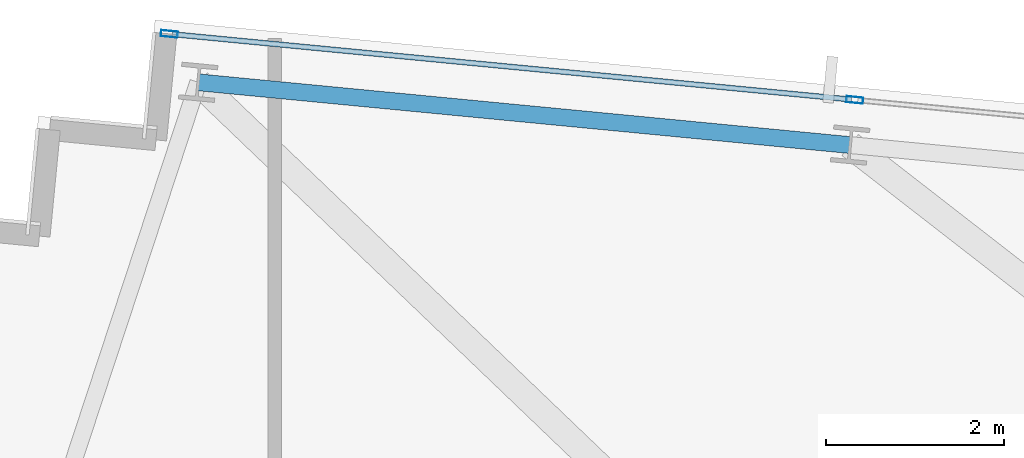
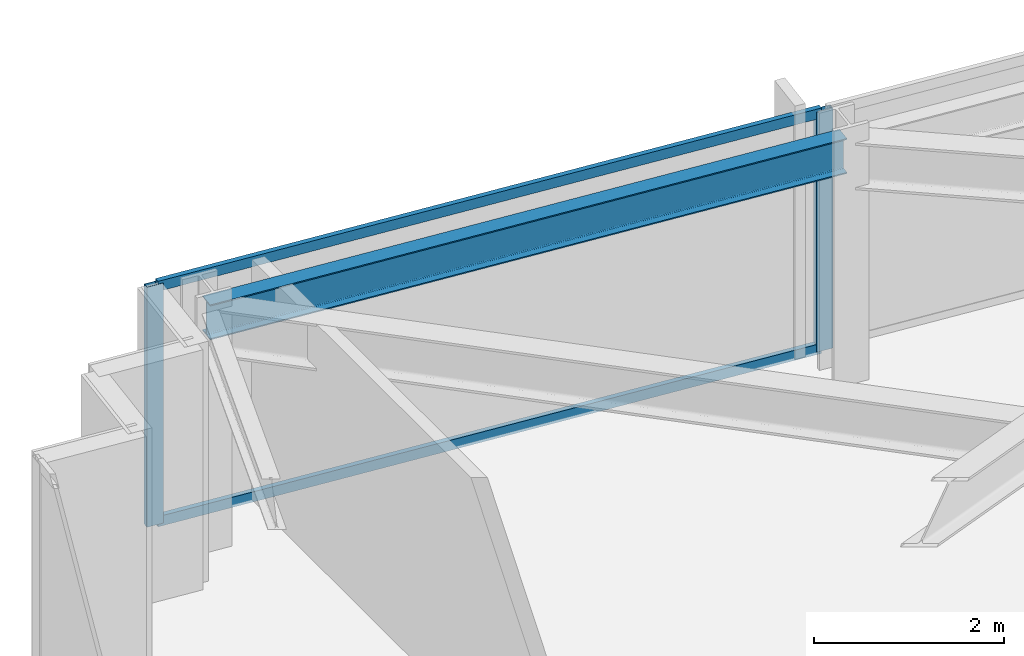
# One storey, part 23 of 36: 4 members, 1 beam, 1 element without a shape of its own.
"""IFC4 building model written with IfcOpenShell, lengths in metres."""

import ifcopenshell
import ifcopenshell.guid

model = None  # the IFC model being written
_history = None  # IfcOwnerHistory: only IFC2X3 demands one
_inside = {}  # id of a spatial element -> (the spatial element, [elements in it])
_under = {}  # id of a project, library or spatial element -> (it, [spatial elements below it])
_declared = {}  # id of a project -> (the project, [libraries it declares])
_typed = {}  # id of a type object -> (the type object, [elements of that type])
_made_of = {}  # id of a material, layer set ... -> (it, [elements and type objects made of it])


def new_model(schema):
    """Start an empty IFC model of exactly this schema.

    Asked for "IFC4X3", IfcOpenShell would pick the latest addendum, in which some entities
    have other attributes; the version numbers below select the first issue.
    IFC2X3 requires an IfcOwnerHistory on every rooted entity: one is made here for all.
    """
    global model, _history
    if schema == "IFC4X3":
        model = ifcopenshell.file(schema_version=(4, 3, 0, 0))
    else:
        model = ifcopenshell.file(schema=schema)
    _inside.clear()
    _under.clear()
    _declared.clear()
    _typed.clear()
    _made_of.clear()
    _history = None
    if model.schema == "IFC2X3":
        org = make("IfcOrganization", Name="unknown")
        user = make(
            "IfcPersonAndOrganization",
            ThePerson=make("IfcPerson", FamilyName="unknown"),
            TheOrganization=org,
        )
        app = make(
            "IfcApplication",
            ApplicationDeveloper=org,
            Version="unknown",
            ApplicationFullName="unknown",
            ApplicationIdentifier="unknown",
        )
        _history = make(
            "IfcOwnerHistory",
            OwningUser=user,
            OwningApplication=app,
            ChangeAction="ADDED",
            CreationDate=0,
        )
    return model


def make(cls, **values):
    """One entity of the class cls with the attributes given. An attribute that is None is left unset."""
    return model.create_entity(
        cls, **{name: value for name, value in values.items() if value is not None}
    )


def rooted(cls, **values):
    """An entity with a GlobalId (a new one), such as an element, a storey or a relation."""
    return make(cls, GlobalId=ifcopenshell.guid.new(), OwnerHistory=_history, **values)


def si_unit(unit_type, name, prefix=None):
    """IfcSIUnit, for example si_unit("LENGTHUNIT", "METRE", prefix="MILLI")."""
    return make("IfcSIUnit", UnitType=unit_type, Prefix=prefix, Name=name)


def assignment(units):
    """IfcUnitAssignment: the units of a project."""
    return None if units is None else make("IfcUnitAssignment", Units=units)


def point(xyz):
    """IfcCartesianPoint."""
    return None if xyz is None else make("IfcCartesianPoint", Coordinates=xyz)


def direction(xyz):
    """IfcDirection."""
    return None if xyz is None else make("IfcDirection", DirectionRatios=xyz)


def frame(location, z_axis=None, x_axis=None):
    """IfcAxis2Placement3D, a coordinate frame: its origin and axes. An axis left out is left unset."""
    return make(
        "IfcAxis2Placement3D",
        Location=point(location),
        Axis=direction(z_axis),
        RefDirection=direction(x_axis),
    )


def frame_2d(location, x_axis=None):
    """IfcAxis2Placement2D, a coordinate frame in the plane: its origin and x axis."""
    return make(
        "IfcAxis2Placement2D", Location=point(location), RefDirection=direction(x_axis)
    )


def origin():
    """The frame at (0, 0, 0) with its axes left unset."""
    return frame((0.0, 0.0, 0.0))


def origin_2d():
    """The frame at (0, 0) in the plane with its x axis left unset."""
    return frame_2d((0.0, 0.0))


def place(relative_to, where):
    """IfcLocalPlacement: puts the frame where relative to a parent placement (None: the world)."""
    return make(
        "IfcLocalPlacement", PlacementRelTo=relative_to, RelativePlacement=where
    )


def context(
    kind, dimensions, precision=None, world=None, true_north=None, identifier=None
):
    """IfcGeometricRepresentationContext, for example the 3D "Model" context."""
    return make(
        "IfcGeometricRepresentationContext",
        ContextIdentifier=identifier,
        ContextType=kind,
        CoordinateSpaceDimension=dimensions,
        Precision=precision,
        WorldCoordinateSystem=world,
        TrueNorth=true_north,
    )


def subcontext(parent, identifier, kind, view, scale=None):
    """IfcGeometricRepresentationSubContext, for example "Body" below "Model"."""
    return make(
        "IfcGeometricRepresentationSubContext",
        ContextIdentifier=identifier,
        ContextType=kind,
        ParentContext=parent,
        TargetScale=scale,
        TargetView=view,
    )


def project(units=None, contexts=None):
    """IfcProject with its units and contexts."""
    return rooted(
        "IfcProject",
        Name="project",
        RepresentationContexts=contexts,
        UnitsInContext=assignment(units),
    )


def spatial(cls, under=None, at=None, **own):
    """A site, building, storey or space (cls), placed at a placement, below another one or the project."""
    s = rooted(cls, ObjectPlacement=at, **own)
    if under is not None:
        _under.setdefault(under.id(), (under, []))[1].append(s)
    return s


def profile(cls, at=None, kind="AREA", **sizes):
    """A parametric profile (cls). Its sizes go by their IFC names, for example OverallWidth=200.0."""
    return make(cls, ProfileType=kind, Position=at, **sizes)


def hollow_rectangle(**sizes):
    """IfcRectangleHollowProfileDef."""
    return profile("IfcRectangleHollowProfileDef", **sizes)


def i_section(**sizes):
    """IfcIShapeProfileDef."""
    return profile("IfcIShapeProfileDef", **sizes)


def extrude(swept, where, along, depth):
    """IfcExtrudedAreaSolid: the profile swept, set in the frame where, extruded along a direction by depth."""
    return make(
        "IfcExtrudedAreaSolid",
        SweptArea=swept,
        Position=where,
        ExtrudedDirection=direction(along),
        Depth=depth,
    )


def shape(context_of_items, identifier, shape_type, items):
    """IfcShapeRepresentation: the items that make up one representation, for example the "Body"."""
    return make(
        "IfcShapeRepresentation",
        ContextOfItems=context_of_items,
        RepresentationIdentifier=identifier,
        RepresentationType=shape_type,
        Items=items,
    )


def material(Name=None, Category=None):
    """IfcMaterial."""
    return make("IfcMaterial", Name=Name, Category=Category)


def material_profile(
    of_material, cross_section, Name=None, Category=None, Priority=None
):
    """IfcMaterialProfile: a cross section and its material."""
    return make(
        "IfcMaterialProfile",
        Name=Name,
        Material=of_material,
        Profile=cross_section,
        Priority=Priority,
        Category=Category,
    )


def profile_set(profiles, Name=None, composite=None):
    """IfcMaterialProfileSet."""
    return make(
        "IfcMaterialProfileSet",
        Name=Name,
        MaterialProfiles=profiles,
        CompositeProfile=composite,
    )


def made_of(thing, what):
    """Note that an element or type object is made of a material, layer set ...; save() writes the relation."""
    if what is not None:
        _made_of.setdefault(what.id(), (what, []))[1].append(thing)
    return thing


def type_object(cls, material=None, **own):
    """A type object (cls), such as IfcWallType, which elements share."""
    return made_of(rooted(cls, **own), material)


def element(
    cls,
    number,
    at=None,
    inside=None,
    cuts=None,
    type_object=None,
    material=None,
    context=None,
    identifier="Body",
    shape_type=None,
    held_by="IfcProductDefinitionShape",
    body=None,
    shapes=None,
    **own,
):
    """One element of the class cls, such as IfcWall. Its Tag is "e" and its number.

    at: its placement. inside: the storey or other place that contains it. cuts: it is an
    opening in that element (IfcRelVoidsElement). A single representation is given by context,
    identifier, shape_type and body (its items); several are given by shapes. held_by: the class
    of the entity that holds the representations. save() writes the other relations.
    """
    e = rooted(cls, Tag="e%d" % number, ObjectPlacement=at, **own)
    if body is not None:
        shapes = [shape(context, identifier, shape_type, body)]
    if shapes is not None:
        e.Representation = make(held_by, Representations=shapes)
    if inside is not None:
        _inside.setdefault(inside.id(), (inside, []))[1].append(e)
    if cuts is not None:
        rooted(
            "IfcRelVoidsElement", RelatingBuildingElement=cuts, RelatedOpeningElement=e
        )
    if type_object is not None:
        _typed.setdefault(type_object.id(), (type_object, []))[1].append(e)
    return made_of(e, material)


def aggregate(whole, parts):
    """IfcRelAggregates: a whole, such as a stair, and the parts it consists of."""
    return rooted("IfcRelAggregates", RelatingObject=whole, RelatedObjects=parts)


def save(model, path):
    """Write the relations noted so far, then the file.

    IfcRelAggregates (storeys below a building ...), IfcRelContainedInSpatialStructure (elements
    in a storey), IfcRelDefinesByType, IfcRelAssociatesMaterial and IfcRelDeclares: one each for
    every whole, place, type object, material and project.
    """
    for whole, parts in _under.values():
        aggregate(whole, parts)
    for where, things in _inside.values():
        rooted(
            "IfcRelContainedInSpatialStructure",
            RelatedElements=things,
            RelatingStructure=where,
        )
    for kind, things in _typed.values():
        rooted("IfcRelDefinesByType", RelatedObjects=things, RelatingType=kind)
    for what, things in _made_of.values():
        rooted("IfcRelAssociatesMaterial", RelatedObjects=things, RelatingMaterial=what)
    for by, libraries in _declared.values():
        rooted("IfcRelDeclares", RelatingContext=by, RelatedDefinitions=libraries)
    model.write(path)


model = new_model("IFC4")

# Units and contexts
model_context = context("Model", 3, precision=1e-05, world=origin(), true_north=direction((0.0, 1.0)))
body_context = subcontext(model_context, "Body", "Model", "MODEL_VIEW")
ifc_project = project(units=[si_unit("LENGTHUNIT", "METRE"), si_unit("AREAUNIT", "SQUARE_METRE"), si_unit("VOLUMEUNIT", "CUBIC_METRE"), si_unit("PLANEANGLEUNIT", "RADIAN"), si_unit("MASSUNIT", "GRAM", prefix="KILO")], contexts=[model_context])

# Site, building, storey
site_placement = place(None, origin())
site = spatial("IfcSite", under=ifc_project, at=site_placement, CompositionType="ELEMENT")
building_placement = place(site_placement, origin())
building = spatial("IfcBuilding", under=site, at=building_placement, Name="Yelkora Congress Tower", CompositionType="ELEMENT")
storey_placement = place(building_placement, frame((0.0, 0.0, 152.300048828125)))
storey = spatial("IfcBuildingStorey", under=building, at=storey_placement, Name="L41", CompositionType="ELEMENT", Elevation=152.300048828125)

# Beam
ifc_material_1 = material(Name="Steel S355J2", Category="steel")
ifc_material_profile_1 = material_profile(ifc_material_1, i_section(OverallWidth=0.18994140625, OverallDepth=0.449951171875, WebThickness=0.009521484375, FlangeThickness=0.0146484375, FilletRadius=0.02099609375, at=origin_2d()), Name="IPE 450")
ifc_profile_set_1 = profile_set([ifc_material_profile_1], Name="Steel S355J2")
beam_type = type_object("IfcBeamType", Name="BM-SPAN-IPE450", PredefinedType="SPANDREL", material=ifc_profile_set_1)
beam_placement = place(storey_placement, frame((14.712158203125, 49.685546875, 2.85498046875), z_axis=(-0.995397104697, 0.095836339457, 0.0), x_axis=(-0.095836339457, -0.995397104697, 0.0)))
element("IfcBeam", 1, at=beam_placement, inside=storey, type_object=beam_type, Name="L41 Perimeter Beam 15", PredefinedType="SPANDREL", context=body_context, shape_type="SweptSolid", body=[
    extrude(i_section(OverallWidth=0.18994140625, OverallDepth=0.449951171875, WebThickness=0.009521484375, FlangeThickness=0.0146484375, FilletRadius=0.02099609375, at=origin_2d()), origin(), (0.0, 0.0, 1.0), 7.357177734375),
])

# Curtain wall, members
ifc_material_2 = material(Name="Anodised aluminium and insulated glass", Category="aluminium")
curtain_wall_type = type_object("IfcCurtainWallType", Name="CW-SYS-B3", PredefinedType="NOTDEFINED", material=ifc_material_2)
curtain_wall_placement = place(storey_placement, origin())
curtain_wall = element("IfcCurtainWall", 2, at=curtain_wall_placement, inside=storey, type_object=curtain_wall_type, Name="L41 Unitised Curtain Wall 10 (1)", PredefinedType="NOTDEFINED")
ifc_material_3 = material(Name="Anodised aluminium 6063-T6", Category="aluminium")
ifc_material_profile_2 = material_profile(ifc_material_3, hollow_rectangle(XDim=0.070068359375, YDim=0.18994140625, WallThickness=0.00390625, at=origin_2d()), Name="ALU 70x190x4")
ifc_profile_set_2 = profile_set([ifc_material_profile_2], Name="Anodised aluminium 6063-T6")
member_type_1 = type_object("IfcMemberType", Name="MEM-ML-B3", PredefinedType="MULLION", material=ifc_profile_set_2)
member_1_placement = place(storey_placement, frame((7.064453125, 50.934326171875, 0.0), z_axis=(0.0, 0.0, 1.0), x_axis=(0.095844761168, 0.995396293823, 0.0)))
member_1 = element("IfcMember", 3, at=member_1_placement, type_object=member_type_1, Name="CW-B3 mullion 1", PredefinedType="MULLION", context=body_context, shape_type="SweptSolid", body=[
    extrude(hollow_rectangle(XDim=0.070068359375, YDim=0.18994140625, WallThickness=0.00390625, at=origin_2d()), origin(), (0.0, 0.0, 1.0), 3.079833984375),
])
member_2_placement = place(storey_placement, frame((14.76318359375, 50.19287109375, 0.0), z_axis=(0.0, 0.0, 1.0), x_axis=(0.095844761168, 0.995396293823, 0.0)))
member_2 = element("IfcMember", 4, at=member_2_placement, type_object=member_type_1, Name="CW-B3 mullion 2", PredefinedType="MULLION", context=body_context, shape_type="SweptSolid", body=[
    extrude(hollow_rectangle(XDim=0.070068359375, YDim=0.18994140625, WallThickness=0.00390625, at=origin_2d()), origin(), (0.0, 0.0, 1.0), 3.079833984375),
])
ifc_material_profile_3 = material_profile(ifc_material_3, hollow_rectangle(XDim=0.06005859375, YDim=0.1298828125, WallThickness=0.00390625, at=origin_2d()), Name="ALU 60x130x4")
ifc_profile_set_3 = profile_set([ifc_material_profile_3], Name="Anodised aluminium 6063-T6")
member_type_2 = type_object("IfcMemberType", Name="MEM-TR-B3", PredefinedType="USERDEFINED", material=ifc_profile_set_3)
member_3_placement = place(storey_placement, frame((7.099365234375, 50.930908203125, 0.030029296875), z_axis=(0.995395712642, -0.09585079683, 0.0), x_axis=(0.09585079683, 0.995395712642, 0.0)))
member_3 = element("IfcMember", 5, at=member_3_placement, type_object=member_type_2, Name="CW-B3 transom 1.1", ObjectType="TRANSOM", PredefinedType="USERDEFINED", context=body_context, shape_type="SweptSolid", body=[
    extrude(hollow_rectangle(XDim=0.06005859375, YDim=0.1298828125, WallThickness=0.00390625, at=origin_2d()), origin(), (0.0, 0.0, 1.0), 7.664306640625),
])
member_4_placement = place(storey_placement, frame((7.099365234375, 50.930908203125, 3.050048828125), z_axis=(0.995395712642, -0.09585079683, 0.0), x_axis=(0.09585079683, 0.995395712642, 0.0)))
member_4 = element("IfcMember", 6, at=member_4_placement, type_object=member_type_2, Name="CW-B3 transom 1.2", ObjectType="TRANSOM", PredefinedType="USERDEFINED", context=body_context, shape_type="SweptSolid", body=[
    extrude(hollow_rectangle(XDim=0.06005859375, YDim=0.1298828125, WallThickness=0.00390625, at=origin_2d()), origin(), (0.0, 0.0, 1.0), 7.664306640625),
])
aggregate(curtain_wall, [member_1, member_2, member_3, member_4])

save(model, "model.ifc")
